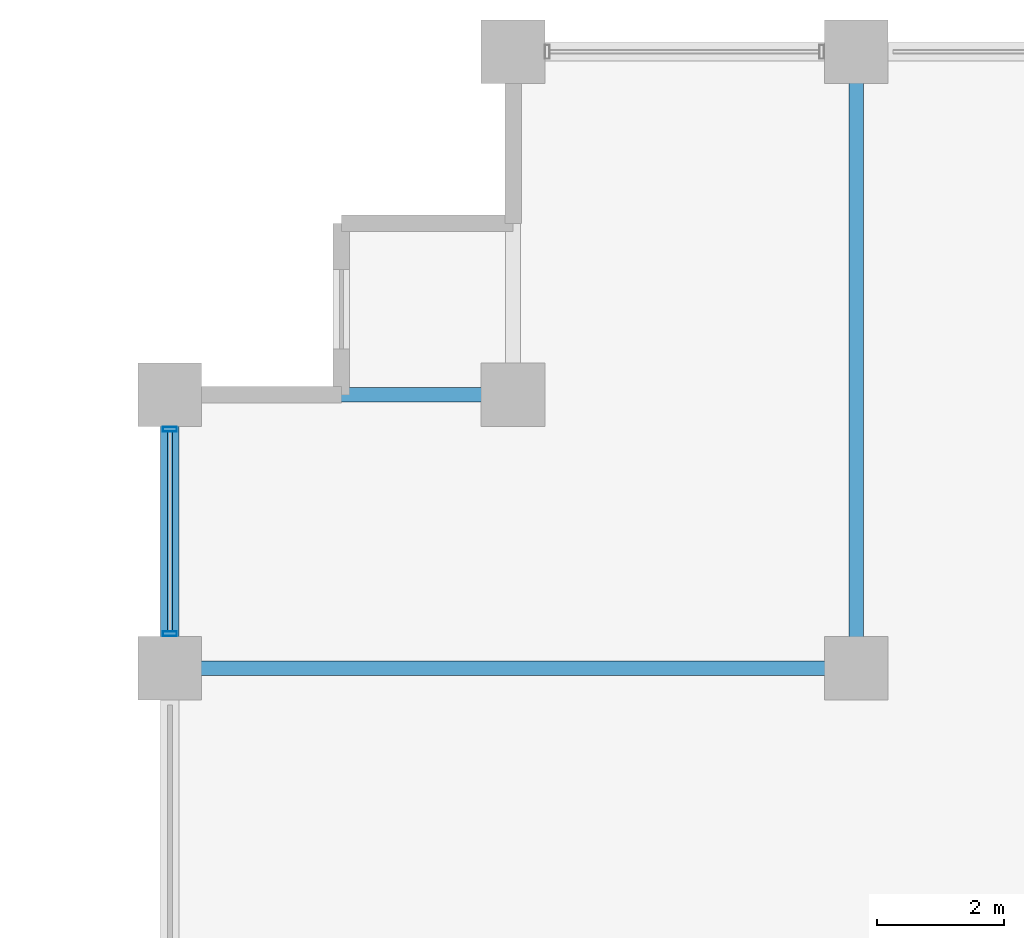
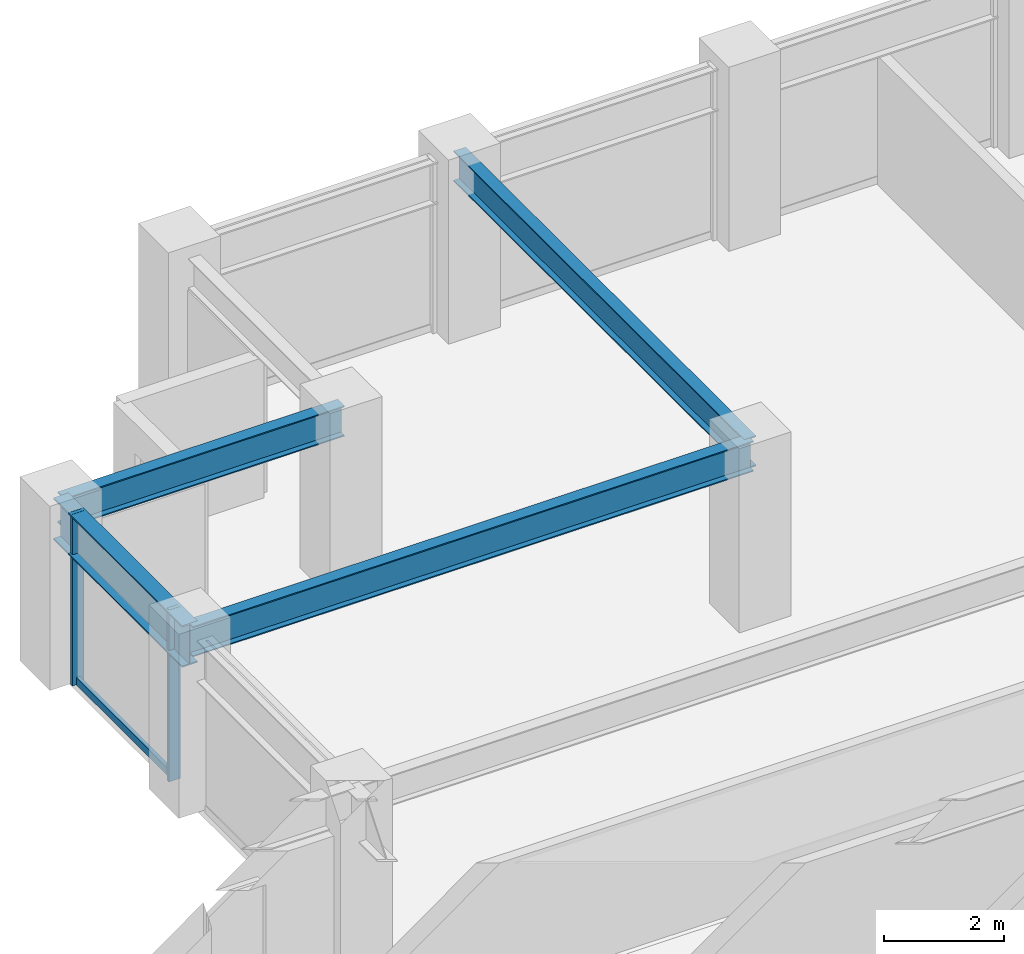
# One storey, part 12 of 29: 4 beams, 3 members, 1 element without a shape of its own.
"""IFC4 building model written with IfcOpenShell, lengths in metres."""

from ifc_helpers import new_model, si_unit, direction, frame, origin, origin_2d, place, context, subcontext, project, spatial, hollow_rectangle, i_section, extrude, material, layer, layer_set, material_profile, profile_set, type_object, element, aggregate, save


model = new_model("IFC4")

# Units and contexts
model_context = context("Model", 3, precision=1e-05, world=origin(), true_north=direction((0.0, 1.0)))
body_context = subcontext(model_context, "Body", "Model", "MODEL_VIEW")
ifc_project = project(units=[si_unit("LENGTHUNIT", "METRE"), si_unit("AREAUNIT", "SQUARE_METRE"), si_unit("VOLUMEUNIT", "CUBIC_METRE"), si_unit("PLANEANGLEUNIT", "RADIAN"), si_unit("MASSUNIT", "GRAM", prefix="KILO")], contexts=[model_context])

# Site, building, storey
site_placement = place(None, origin())
site = spatial("IfcSite", under=ifc_project, at=site_placement, CompositionType="ELEMENT")
building_placement = place(site_placement, origin())
building = spatial("IfcBuilding", under=site, at=building_placement, Name="Surkhivell Harbour Commons", CompositionType="ELEMENT")
storey_placement = place(building_placement, frame((0.0, 0.0, 158.25)))
storey = spatial("IfcBuildingStorey", under=building, at=storey_placement, Name="L41", CompositionType="ELEMENT", Elevation=158.25)

# Beams
ifc_material_1 = material(Name="Steel S355", Category="steel")
ifc_material_profile_1 = material_profile(ifc_material_1, i_section(OverallWidth=0.22998046875, OverallDepth=0.616943359375, WebThickness=0.01318359375, FlangeThickness=0.022216796875, at=origin_2d()), Name="UB610x229x140")
ifc_profile_set_1 = profile_set([ifc_material_profile_1], Name="Steel S355")
beam_type_1 = type_object("IfcBeamType", Name="BM-GRD-610B", PredefinedType="BEAM", material=ifc_profile_set_1)
beam_1_placement = place(storey_placement, frame((-32.39990234375, 16.199951171875, 3.19140625), z_axis=(1.0, 0.0, 0.0), x_axis=(0.0, 1.0, 0.0)))
element("IfcBeam", 1, at=beam_1_placement, inside=storey, type_object=beam_type_1, Name="L41 Floor Girder (-32.4,16.2)", PredefinedType="BEAM", context=body_context, shape_type="SweptSolid", body=[
    extrude(i_section(OverallWidth=0.22998046875, OverallDepth=0.616943359375, WebThickness=0.01318359375, FlangeThickness=0.022216796875, at=origin_2d()), origin(), (0.0, 0.0, 1.0), 10.7998046875),
])
beam_2_placement = place(storey_placement, frame((-32.39990234375, 20.5, 3.19140625), z_axis=(1.0, 0.0, 0.0), x_axis=(0.0, 1.0, 0.0)))
element("IfcBeam", 2, at=beam_2_placement, inside=storey, type_object=beam_type_1, Name="L41 Floor Girder (-32.4,20.5)", PredefinedType="BEAM", context=body_context, shape_type="SweptSolid", body=[
    extrude(i_section(OverallWidth=0.22998046875, OverallDepth=0.616943359375, WebThickness=0.01318359375, FlangeThickness=0.022216796875, at=origin_2d()), origin(), (0.0, 0.0, 1.0), 5.39990234375),
])
beam_3_placement = place(storey_placement, frame((-21.60009765625, 16.199951171875, 3.19140625), z_axis=(0.0, 1.0, 0.0), x_axis=(-1.0, 0.0, 0.0)))
element("IfcBeam", 3, at=beam_3_placement, inside=storey, type_object=beam_type_1, Name="L41 Floor Girder (-21.6,16.2)", PredefinedType="BEAM", context=body_context, shape_type="SweptSolid", body=[
    extrude(i_section(OverallWidth=0.22998046875, OverallDepth=0.616943359375, WebThickness=0.01318359375, FlangeThickness=0.022216796875, at=origin_2d()), origin(), (0.0, 0.0, 1.0), 9.699951171875),
])
ifc_material_2 = material(Name="Steel S460", Category="steel")
ifc_material_profile_2 = material_profile(ifc_material_2, i_section(OverallWidth=0.2939453125, OverallDepth=0.85107421875, WebThickness=0.01611328125, FlangeThickness=0.02685546875, at=origin_2d()), Name="UB838x292x226")
ifc_profile_set_2 = profile_set([ifc_material_profile_2], Name="Steel S460")
beam_type_2 = type_object("IfcBeamType", Name="BM-SPN-838", PredefinedType="SPANDREL", material=ifc_profile_set_2)
beam_4_placement = place(storey_placement, frame((-32.39990234375, 16.199951171875, 3.074462890625), z_axis=(0.0, 1.0, 0.0), x_axis=(-1.0, 0.0, 0.0)))
element("IfcBeam", 4, at=beam_4_placement, inside=storey, type_object=beam_type_2, Name="L41 Tube Spandrel (-32.4,16.2)", PredefinedType="SPANDREL", context=body_context, shape_type="SweptSolid", body=[
    extrude(i_section(OverallWidth=0.2939453125, OverallDepth=0.85107421875, WebThickness=0.01611328125, FlangeThickness=0.02685546875, at=origin_2d()), origin(), (0.0, 0.0, 1.0), 4.300048828125),
])

# Curtain wall, members
ifc_material_3 = material(Name="Anodised pale-metal aluminium and insulated glazing", Category="aluminium")
ifc_layer = layer(ifc_material_3, 0.205078125)
ifc_layer_set = layer_set([ifc_layer], Name="Anodised pale-metal aluminium and insulated glazing")
curtain_wall_type = type_object("IfcCurtainWallType", Name="CW-SYS-Z2", PredefinedType="NOTDEFINED", material=ifc_layer_set)
curtain_wall_placement = place(storey_placement, origin())
curtain_wall = element("IfcCurtainWall", 5, at=curtain_wall_placement, inside=storey, type_object=curtain_wall_type, Name="L41 Curtain Wall CW-L41-E12R2", PredefinedType="NOTDEFINED")
ifc_material_4 = material(Name="Anodised pale-metal aluminium alloy 6063-T6", Category="aluminium")
ifc_material_profile_3 = material_profile(ifc_material_4, hollow_rectangle(XDim=0.074951171875, YDim=0.219970703125, WallThickness=0.00390625, at=origin_2d()), Name="ALU-MULL-75x220")
ifc_profile_set_3 = profile_set([ifc_material_profile_3], Name="Anodised pale-metal aluminium alloy 6063-T6")
member_type_1 = type_object("IfcMemberType", Name="CWM-220", PredefinedType="MULLION", material=ifc_profile_set_3)
member_1_placement = place(storey_placement, frame((-32.39990234375, 16.739501953125, 0.0), z_axis=(0.0, 0.0, 1.0), x_axis=(0.0, 1.0, 0.0)))
member_1 = element("IfcMember", 6, at=member_1_placement, type_object=member_type_1, Name="CW-Z2 mullion 2", PredefinedType="MULLION", context=body_context, shape_type="SweptSolid", body=[
    extrude(hollow_rectangle(XDim=0.074951171875, YDim=0.219970703125, WallThickness=0.00390625, at=origin_2d()), origin(), (0.0, 0.0, 1.0), 3.5),
])
member_2_placement = place(storey_placement, frame((-32.39990234375, 19.96044921875, 0.0), z_axis=(0.0, 0.0, 1.0), x_axis=(0.0, 1.0, 0.0)))
member_2 = element("IfcMember", 7, at=member_2_placement, type_object=member_type_1, Name="CW-Z2 mullion 3", PredefinedType="MULLION", context=body_context, shape_type="SweptSolid", body=[
    extrude(hollow_rectangle(XDim=0.074951171875, YDim=0.219970703125, WallThickness=0.00390625, at=origin_2d()), origin(), (0.0, 0.0, 1.0), 3.5),
])
ifc_material_profile_4 = material_profile(ifc_material_4, hollow_rectangle(XDim=0.074951171875, YDim=0.14990234375, WallThickness=0.00341796875, at=origin_2d()), Name="ALU-TRAN-75x150")
ifc_profile_set_4 = profile_set([ifc_material_profile_4], Name="Anodised pale-metal aluminium alloy 6063-T6")
member_type_2 = type_object("IfcMemberType", Name="CWT-150", PredefinedType="USERDEFINED", material=ifc_profile_set_4)
member_3_placement = place(storey_placement, frame((-32.39990234375, 16.777099609375, 0.074951171875), z_axis=(0.0, 1.0, 0.0), x_axis=(-1.0, 0.0, 0.0)))
member_3 = element("IfcMember", 8, at=member_3_placement, type_object=member_type_2, Name="CW-Z2 transom 2.1", ObjectType="TRANSOM", PredefinedType="USERDEFINED", context=body_context, shape_type="SweptSolid", body=[
    extrude(hollow_rectangle(XDim=0.074951171875, YDim=0.14990234375, WallThickness=0.00341796875, at=origin_2d()), origin(), (0.0, 0.0, 1.0), 3.14599609375),
])
aggregate(curtain_wall, [member_1, member_2, member_3])

save(model, "model.ifc")
